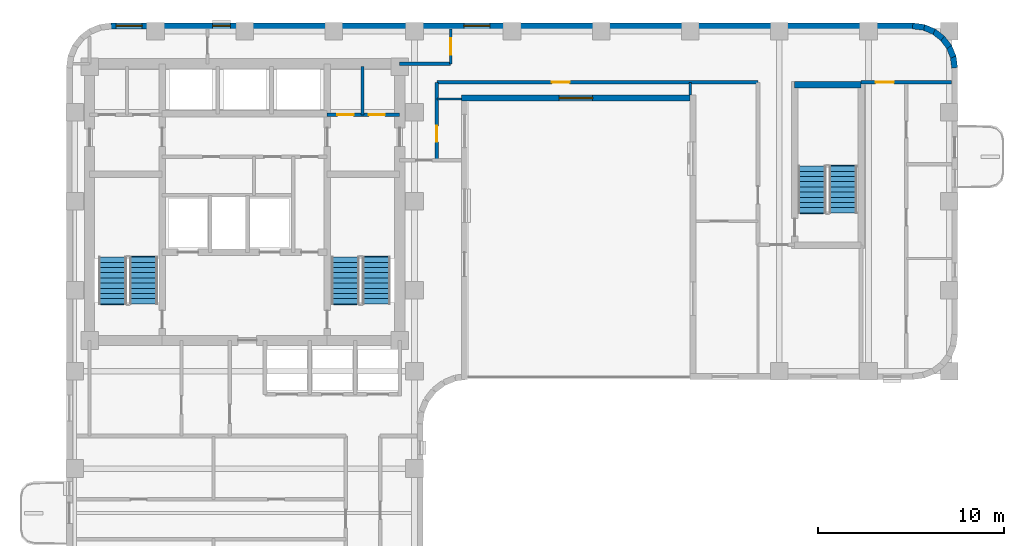
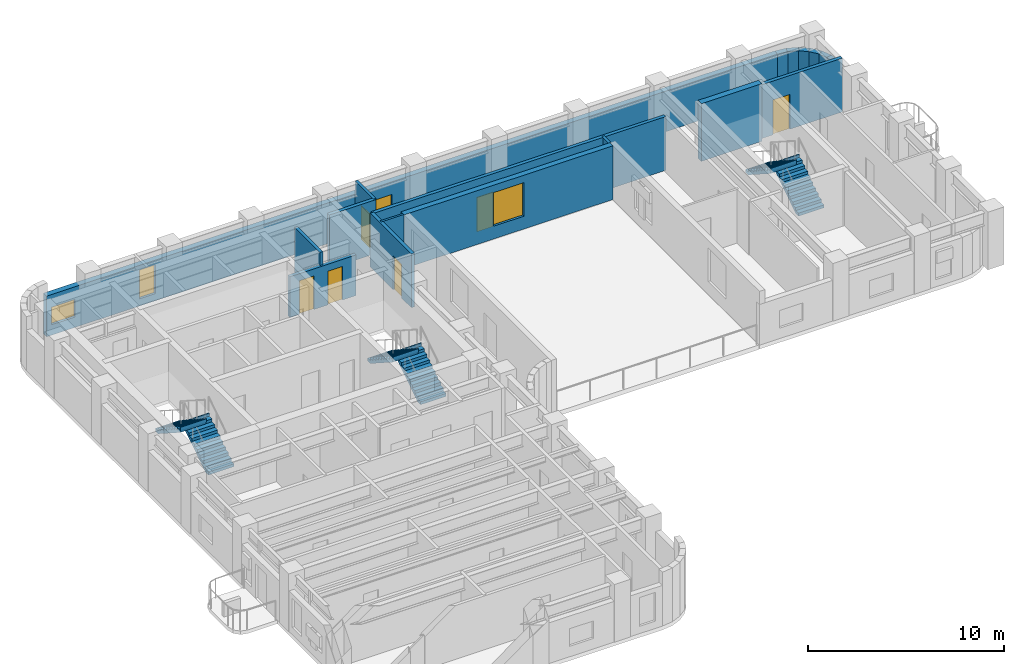
# One storey, part 6 of 9: 18 walls, 6 doors, 6 stair flights, 4 windows, 10 openings, 3 elements without a shape of their own.
"""IFC4 building model written with IfcOpenShell, lengths in metres."""

from ifc_helpers import new_model, si_unit, direction, frame, frame_2d, origin, place, context, subcontext, project, spatial, polyline, rectangle, outline, extrude, material, layer, layer_set, type_object, element, fill, aggregate, save


model = new_model("IFC4")

# Units and contexts
model_context = context("Model", 3, precision=1e-05, world=origin(), true_north=direction((0.0, 1.0)))
body_context = subcontext(model_context, "Body", "Model", "MODEL_VIEW")
ifc_project = project(units=[si_unit("LENGTHUNIT", "METRE"), si_unit("AREAUNIT", "SQUARE_METRE"), si_unit("VOLUMEUNIT", "CUBIC_METRE"), si_unit("PLANEANGLEUNIT", "RADIAN"), si_unit("MASSUNIT", "GRAM", prefix="KILO")], contexts=[model_context])

# Site, building, storey
site_placement = place(None, origin())
site = spatial("IfcSite", under=ifc_project, at=site_placement, CompositionType="ELEMENT")
building_placement = place(site_placement, origin())
building = spatial("IfcBuilding", under=site, at=building_placement, Name="Orvandelia Arch Residences", CompositionType="ELEMENT")
storey_placement = place(building_placement, frame((0.0, 0.0, 154.0)))
storey = spatial("IfcBuildingStorey", under=building, at=storey_placement, Name="L40", CompositionType="ELEMENT", Elevation=154.0)

# Walls
ifc_material_1 = material(Name="Concrete C50/60", Category="concrete")
ifc_layer_1 = layer(ifc_material_1, 0.35009765625, Name="Concrete C50/60", Category="concrete")
ifc_layer_set_1 = layer_set([ifc_layer_1], Name="Concrete C50/60")
wall_type_1 = type_object("IfcWallType", Name="WL-CORE-350", PredefinedType="SHEAR", material=ifc_layer_set_1)
wall_1_placement = place(storey_placement, frame((44.02001953125, 44.659912109375, 0.0), z_axis=(0.0, 0.0, 1.0), x_axis=(1.0, 0.0, 0.0)))
element("IfcWall", 1, at=wall_1_placement, inside=storey, type_object=wall_type_1, Name="East Stair Core Shear Wall L40-N", PredefinedType="SHEAR", context=body_context, shape_type="SweptSolid", body=[
    extrude(rectangle(XDim=3.580078125, YDim=0.35009765625, at=frame_2d((1.7900390625, 0.0))), origin(), (0.0, 0.0, 1.0), 3.60009765625),
])
ifc_material_2 = material(Name="Fire-Rated Corridor Partition")
ifc_layer_2 = layer(ifc_material_2, 0.199951171875, Name="Fire-Rated Corridor Partition")
ifc_layer_set_2 = layer_set([ifc_layer_2], Name="Fire-Rated Corridor Partition")
wall_type_2 = type_object("IfcWallType", Name="WL-CORR-200", PredefinedType="PARTITIONING", material=ifc_layer_set_2)
wall_2_placement = place(storey_placement, frame((22.75, 45.800048828125, 0.0), z_axis=(0.0, 0.0, 1.0), x_axis=(1.0, 0.0, 0.0)))
element("IfcWall", 2, at=wall_2_placement, inside=storey, type_object=wall_type_2, Name="Interior Partition Wall WL-L40-NCE-S", PredefinedType="PARTITIONING", context=body_context, shape_type="SweptSolid", body=[
    extrude(rectangle(XDim=2.75, YDim=0.199951171875, at=frame_2d((1.375, 0.0))), origin(), (0.0, 0.0, 1.0), 3.360107421875),
])

# Wall, opening, door
wall_3_placement = place(storey_placement, frame((24.75, 44.800048828125, 0.0), z_axis=(0.0, 0.0, 1.0), x_axis=(1.0, 0.0, 0.0)))
wall_3 = element("IfcWall", 3, at=wall_3_placement, inside=storey, type_object=wall_type_2, Name="Interior Partition Wall WL-L40-ENP-S1", PredefinedType="PARTITIONING", context=body_context, shape_type="SweptSolid", body=[
    extrude(rectangle(XDim=17.300048828125, YDim=0.199951171875, at=frame_2d((8.64990234375, 0.0))), origin(), (0.0, 0.0, 1.0), 3.360107421875),
])
opening_1_placement = place(wall_3_placement, frame((6.199951171875, 0.0, 0.0)))
opening_1 = element("IfcOpeningElement", 4, at=opening_1_placement, cuts=wall_3, Name="Opening D2", PredefinedType="OPENING", context=body_context, shape_type="SweptSolid", body=[
    extrude(rectangle(XDim=0.949951171875, YDim=2.14990234375, at=frame_2d((0.47509765625, 1.074951171875))), frame((0.0, 0.10986328125, 0.0), z_axis=(0.0, -1.0, 0.0), x_axis=(1.0, 0.0, 0.0)), (0.0, 0.0, 1.0), 0.219970703125),
])
ifc_material_3 = material(Name="Solid-Core Timber Interior Fire Door", Category="wood")
door_type_1 = type_object("IfcDoorType", Name="DR-APT-950", OperationType="NOTDEFINED", PredefinedType="DOOR", material=ifc_material_3)
door_1_placement = place(opening_1_placement, origin())
door_1 = element("IfcDoor", 5, at=door_1_placement, inside=storey, type_object=door_type_1, Name="DR-L40-VPBRG", OperationType="SINGLE_SWING_LEFT", OverallHeight=2.14990234375, OverallWidth=0.949951171875, PredefinedType="DOOR", context=body_context, shape_type="SweptSolid", body=[
    extrude(rectangle(XDim=0.949951171875, YDim=2.14990234375, at=frame_2d((0.47509765625, 1.074951171875))), frame((0.0, 0.02490234375, 0.0), z_axis=(0.0, -1.0, 0.0), x_axis=(1.0, 0.0, 0.0)), (0.0, 0.0, 1.0), 0.050048828125),
])
fill(opening_1, door_1)

wall_4_placement = place(storey_placement, frame((47.60009765625, 44.800048828125, 0.0), z_axis=(0.0, 0.0, 1.0), x_axis=(1.0, 0.0, 0.0)))
wall_4 = element("IfcWall", 6, at=wall_4_placement, inside=storey, type_object=wall_type_2, Name="Interior Partition Wall WL-L40-ENP-S2", PredefinedType="PARTITIONING", context=body_context, shape_type="SweptSolid", body=[
    extrude(rectangle(XDim=4.8798828125, YDim=0.199951171875, at=frame_2d((2.43994140625, 0.0))), origin(), (0.0, 0.0, 1.0), 3.360107421875),
])
opening_2_placement = place(wall_4_placement, frame((0.79150390625, 0.0, 0.0)))
opening_2 = element("IfcOpeningElement", 7, at=opening_2_placement, cuts=wall_4, Name="Opening D1", PredefinedType="OPENING", context=body_context, shape_type="SweptSolid", body=[
    extrude(rectangle(XDim=0.97998046875, YDim=2.179931640625, at=frame_2d((0.489990234375, 1.08984375))), frame((0.0, 0.10986328125, 0.0), z_axis=(0.0, -1.0, 0.0), x_axis=(1.0, 0.0, 0.0)), (0.0, 0.0, 1.0), 0.219970703125),
])
ifc_material_4 = material(Name="Solid-Core Timber Acoustic Fire Door", Category="wood")
door_type_2 = type_object("IfcDoorType", Name="DR-ENT-980", OperationType="NOTDEFINED", PredefinedType="DOOR", material=ifc_material_4)
door_2_placement = place(opening_2_placement, origin())
door_2 = element("IfcDoor", 8, at=door_2_placement, inside=storey, type_object=door_type_2, Name="Unit L40-04 Entrance Door", OperationType="SINGLE_SWING_RIGHT", OverallHeight=2.179931640625, OverallWidth=0.97998046875, PredefinedType="DOOR", context=body_context, shape_type="SweptSolid", body=[
    extrude(rectangle(XDim=0.97998046875, YDim=2.179931640625, at=frame_2d((0.489990234375, 1.08984375))), frame((0.0, 0.02490234375, 0.0), z_axis=(0.0, -1.0, 0.0), x_axis=(1.0, 0.0, 0.0)), (0.0, 0.0, 1.0), 0.050048828125),
])
fill(opening_2, door_2)

wall_5_placement = place(storey_placement, frame((24.75, 40.60009765625, 0.0), z_axis=(0.0, 0.0, 1.0), x_axis=(0.0, 1.0, 0.0)))
wall_5 = element("IfcWall", 9, at=wall_5_placement, inside=storey, type_object=wall_type_2, Name="Interior Partition Wall WL-L40-ENP-LW", PredefinedType="PARTITIONING", context=body_context, shape_type="SweptSolid", body=[
    extrude(rectangle(XDim=4.199951171875, YDim=0.199951171875, at=frame_2d((2.10009765625, 0.0))), origin(), (0.0, 0.0, 1.0), 3.360107421875),
])
opening_3_placement = place(wall_5_placement, frame((1.0, 0.0, 0.0)))
opening_3 = element("IfcOpeningElement", 10, at=opening_3_placement, cuts=wall_5, Name="Opening D4", PredefinedType="OPENING", context=body_context, shape_type="SweptSolid", body=[
    extrude(rectangle(XDim=0.860107421875, YDim=2.10009765625, at=frame_2d((0.43017578125, 1.050048828125))), frame((0.0, 0.10986328125, 0.0), z_axis=(0.0, -1.0, 0.0), x_axis=(1.0, 0.0, 0.0)), (0.0, 0.0, 1.0), 0.219970703125),
])
ifc_material_5 = material(Name="Moisture-Sealed Timber Bathroom Door", Category="wood")
door_type_3 = type_object("IfcDoorType", Name="DR-WET-900", OperationType="NOTDEFINED", PredefinedType="DOOR", material=ifc_material_5)
door_3_placement = place(opening_3_placement, origin())
door_3 = element("IfcDoor", 11, at=door_3_placement, inside=storey, type_object=door_type_3, Name="DR-L40-VPWNK", OperationType="SINGLE_SWING_RIGHT", OverallHeight=2.10009765625, OverallWidth=0.860107421875, PredefinedType="DOOR", context=body_context, shape_type="SweptSolid", body=[
    extrude(rectangle(XDim=0.860107421875, YDim=2.10009765625, at=frame_2d((0.43017578125, 1.050048828125))), frame((0.0, 0.02490234375, 0.0), z_axis=(0.0, -1.0, 0.0), x_axis=(1.0, 0.0, 0.0)), (0.0, 0.0, 1.0), 0.050048828125),
])
fill(opening_3, door_3)

# Wall, openings, windows
ifc_material_6 = material(Name="Precast concrete C40/50", Category="concrete")
ifc_layer_3 = layer(ifc_material_6, 0.320068359375, Name="Precast concrete C40/50", Category="concrete")
ifc_layer_set_3 = layer_set([ifc_layer_3], Name="Precast concrete C40/50")
wall_type_3 = type_object("IfcWallType", Name="WL-EXT-STONE-320", PredefinedType="STANDARD", material=ifc_layer_set_3)
wall_6_placement = place(storey_placement, frame((7.199951171875, 47.840087890625, 0.0), z_axis=(0.0, 0.0, 1.0), x_axis=(1.0, 0.0, 0.0)))
wall_6 = element("IfcWall", 12, at=wall_6_placement, inside=storey, type_object=wall_type_3, Name="Coral-Limestone Precast Facade Wall L40-007", PredefinedType="STANDARD", context=body_context, shape_type="SweptSolid", body=[
    extrude(rectangle(XDim=43.199951171875, YDim=0.320068359375, at=frame_2d((21.60009765625, 0.0))), origin(), (0.0, 0.0, 1.0), 2.5400390625),
])
opening_4_placement = place(wall_6_placement, frame((19.00244140625, 0.0, 0.64990234375)))
opening_4 = element("IfcOpeningElement", 13, at=opening_4_placement, cuts=wall_6, Name="Opening W10", PredefinedType="OPENING", context=body_context, shape_type="SweptSolid", body=[
    extrude(rectangle(XDim=1.39990234375, YDim=1.10009765625, at=frame_2d((0.699951171875, 0.550048828125))), frame((0.0, 0.169921875, 0.0), z_axis=(0.0, -1.0, 0.0), x_axis=(1.0, 0.0, 0.0)), (0.0, 0.0, 1.0), 0.340087890625),
])
opening_5_placement = place(wall_6_placement, frame((0.282470703125, 0.0, 0.64990234375)))
opening_5 = element("IfcOpeningElement", 14, at=opening_5_placement, cuts=wall_6, Name="Opening W10", PredefinedType="OPENING", context=body_context, shape_type="SweptSolid", body=[
    extrude(rectangle(XDim=1.39990234375, YDim=1.10009765625, at=frame_2d((0.699951171875, 0.550048828125))), frame((0.0, 0.169921875, 0.0), z_axis=(0.0, -1.0, 0.0), x_axis=(1.0, 0.0, 0.0)), (0.0, 0.0, 1.0), 0.340087890625),
])
opening_6_placement = place(wall_6_placement, frame((5.4775390625, 0.0, 0.449951171875)))
opening_6 = element("IfcOpeningElement", 15, at=opening_6_placement, cuts=wall_6, Name="Opening W4", PredefinedType="OPENING", context=body_context, shape_type="SweptSolid", body=[
    extrude(rectangle(XDim=0.949951171875, YDim=1.800048828125, at=frame_2d((0.47509765625, 0.89990234375))), frame((0.0, 0.169921875, 0.0), z_axis=(0.0, -1.0, 0.0), x_axis=(1.0, 0.0, 0.0)), (0.0, 0.0, 1.0), 0.340087890625),
])
ifc_material_7 = material(Name="Tempered Low-E Insulated Glazing", Category="glass")
window_type_1 = type_object("IfcWindowType", Name="WIN-CLR-1400x1100", PartitioningType="SINGLE_PANEL", PredefinedType="WINDOW", material=ifc_material_7)
window_1_placement = place(opening_4_placement, origin())
window_1 = element("IfcWindow", 16, at=window_1_placement, inside=storey, type_object=window_type_1, Name="Recessed Punched Window L40-001", OverallHeight=1.10009765625, OverallWidth=1.39990234375, PartitioningType="SINGLE_PANEL", PredefinedType="WINDOW", context=body_context, shape_type="SweptSolid", body=[
    extrude(rectangle(XDim=1.39990234375, YDim=1.10009765625, at=frame_2d((0.699951171875, 0.550048828125))), frame((0.0, 0.030029296875, 0.0), z_axis=(0.0, -1.0, 0.0), x_axis=(1.0, 0.0, 0.0)), (0.0, 0.0, 1.0), 0.06005859375),
])
fill(opening_4, window_1)
window_2_placement = place(opening_5_placement, origin())
window_2 = element("IfcWindow", 17, at=window_2_placement, inside=storey, type_object=window_type_1, Name="Recessed Punched Window L40-002", OverallHeight=1.10009765625, OverallWidth=1.39990234375, PartitioningType="SINGLE_PANEL", PredefinedType="WINDOW", context=body_context, shape_type="SweptSolid", body=[
    extrude(rectangle(XDim=1.39990234375, YDim=1.10009765625, at=frame_2d((0.699951171875, 0.550048828125))), frame((0.0, 0.030029296875, 0.0), z_axis=(0.0, -1.0, 0.0), x_axis=(1.0, 0.0, 0.0)), (0.0, 0.0, 1.0), 0.06005859375),
])
fill(opening_5, window_2)
window_type_2 = type_object("IfcWindowType", Name="WIN-RES-0950x1800", PartitioningType="SINGLE_PANEL", PredefinedType="WINDOW", material=ifc_material_7)
window_3_placement = place(opening_6_placement, origin())
window_3 = element("IfcWindow", 18, at=window_3_placement, inside=storey, type_object=window_type_2, Name="Recessed Punched Window L40-003", OverallHeight=1.800048828125, OverallWidth=0.949951171875, PartitioningType="SINGLE_PANEL", PredefinedType="WINDOW", context=body_context, shape_type="SweptSolid", body=[
    extrude(rectangle(XDim=0.949951171875, YDim=1.800048828125, at=frame_2d((0.47509765625, 0.89990234375))), frame((0.0, 0.030029296875, 0.0), z_axis=(0.0, -1.0, 0.0), x_axis=(1.0, 0.0, 0.0)), (0.0, 0.0, 1.0), 0.06005859375),
])
fill(opening_6, window_3)

# Walls
for number, where, z_axis, x_axis, name in (
    (19, (50.379150390625, 47.84130859375, 0.0), (0.0, 0.0, 1.0), (0.9914410257, -0.130555323746, 0.0), "Coral-Limestone Precast Facade Wall L40-008"),
    (20, (50.9599609375, 47.7705078125, 0.0), (0.0, 0.0, 1.0), (0.92389335771, -0.382650053678, 0.0), "Coral-Limestone Precast Facade Wall L40-009"),
    (21, (51.502685546875, 47.551513671875, 0.0), (0.0, 0.0, 1.0), (0.793405610854, -0.608693302629, 0.0), "Coral-Limestone Precast Facade Wall L40-010"),
    (22, (51.97021484375, 47.19970703125, 0.0), (0.0, 0.0, 1.0), (0.608693302629, -0.793405610854, 0.0), "Coral-Limestone Precast Facade Wall L40-011"),
    (23, (52.330810546875, 46.73876953125, 0.0), (0.0, 0.0, 1.0), (0.382317370307, -0.924031075431, 0.0), "Coral-Limestone Precast Facade Wall L40-012"),
    (24, (52.5595703125, 46.2001953125, 0.0), (0.0, 0.0, 1.0), (0.130555323746, -0.9914410257, 0.0), "Coral-Limestone Precast Facade Wall L40-013"),
):
    element("IfcWall", number, at=place(storey_placement, frame(where, z_axis=z_axis, x_axis=x_axis)), inside=storey, type_object=wall_type_3, Name=name, PredefinedType="STANDARD", context=body_context, shape_type="SweptSolid", body=[
        extrude(rectangle(XDim=0.62646484375, YDim=0.320068359375, at=frame_2d((0.313232421875, 0.0))), origin(), (0.0, 0.0, 1.0), 2.5400390625),
    ])

# Wall, opening, window
wall_7_placement = place(storey_placement, frame((38.39990234375, 43.9599609375, 0.0), z_axis=(0.0, 0.0, 1.0), x_axis=(-1.0, 0.0, 0.0)))
wall_7 = element("IfcWall", 25, at=wall_7_placement, inside=storey, type_object=wall_type_3, Name="Coral-Limestone Precast Facade Wall L40-023", PredefinedType="STANDARD", context=body_context, shape_type="SweptSolid", body=[
    extrude(rectangle(XDim=12.31982421875, YDim=0.320068359375, at=frame_2d((6.159912109375, 0.0))), origin(), (0.0, 0.0, 1.0), 3.360107421875),
])
opening_7_placement = place(wall_7_placement, frame((5.260009765625, 0.0, 0.800048828125)))
opening_7 = element("IfcOpeningElement", 26, at=opening_7_placement, cuts=wall_7, Name="Opening W1", PredefinedType="OPENING", context=body_context, shape_type="SweptSolid", body=[
    extrude(rectangle(XDim=1.800048828125, YDim=2.10009765625, at=frame_2d((0.89990234375, 1.050048828125))), frame((0.0, 0.169921875, 0.0), z_axis=(0.0, -1.0, 0.0), x_axis=(1.0, 0.0, 0.0)), (0.0, 0.0, 1.0), 0.340087890625),
])
window_type_3 = type_object("IfcWindowType", Name="WIN-RES-1800x2100", PartitioningType="SINGLE_PANEL", PredefinedType="WINDOW", material=ifc_material_7)
window_4_placement = place(opening_7_placement, origin())
window_4 = element("IfcWindow", 27, at=window_4_placement, inside=storey, type_object=window_type_3, Name="Recessed Punched Window L40-011", OverallHeight=2.10009765625, OverallWidth=1.800048828125, PartitioningType="SINGLE_PANEL", PredefinedType="WINDOW", context=body_context, shape_type="SweptSolid", body=[
    extrude(rectangle(XDim=1.800048828125, YDim=2.10009765625, at=frame_2d((0.89990234375, 1.050048828125))), frame((0.0, 0.030029296875, 0.0), z_axis=(0.0, -1.0, 0.0), x_axis=(1.0, 0.0, 0.0)), (0.0, 0.0, 1.0), 0.06005859375),
])
fill(opening_7, window_4)

# Wall
ifc_material_8 = material(Name="Lightweight Gypsum Stud Partition")
ifc_layer_4 = layer(ifc_material_8, 0.1201171875, Name="Lightweight Gypsum Stud Partition")
ifc_layer_set_4 = layer_set([ifc_layer_4], Name="Lightweight Gypsum Stud Partition")
wall_type_4 = type_object("IfcWallType", Name="WL-PART-120", PredefinedType="PARTITIONING", material=ifc_layer_set_4)
wall_8_placement = place(storey_placement, frame((24.75, 43.89990234375, 0.0), z_axis=(0.0, 0.0, 1.0), x_axis=(1.0, 0.0, 0.0)))
element("IfcWall", 28, at=wall_8_placement, inside=storey, type_object=wall_type_4, Name="Interior Partition Wall WL-L40-VPWNK-N", PredefinedType="PARTITIONING", context=body_context, shape_type="SweptSolid", body=[
    extrude(rectangle(XDim=1.330078125, YDim=0.1201171875, at=frame_2d((0.6650390625, 0.0))), origin(), (0.0, 0.0, 1.0), 3.360107421875),
])

# Wall, opening, door
ifc_material_9 = material(Name="Acoustic Gypsum Stud Partition")
ifc_layer_5 = layer(ifc_material_9, 0.14990234375, Name="Acoustic Gypsum Stud Partition")
ifc_layer_set_5 = layer_set([ifc_layer_5], Name="Acoustic Gypsum Stud Partition")
wall_type_5 = type_object("IfcWallType", Name="WL-PART-150", PredefinedType="PARTITIONING", material=ifc_layer_set_5)
wall_9_placement = place(storey_placement, frame((25.5, 45.800048828125, 0.0), z_axis=(0.0, 0.0, 1.0), x_axis=(0.0, 1.0, 0.0)))
wall_9 = element("IfcWall", 29, at=wall_9_placement, inside=storey, type_object=wall_type_5, Name="Interior Partition Wall WL-L40-NCE-W", PredefinedType="PARTITIONING", context=body_context, shape_type="SweptSolid", body=[
    extrude(rectangle(XDim=1.8798828125, YDim=0.14990234375, at=frame_2d((0.93994140625, 0.0))), origin(), (0.0, 0.0, 1.0), 3.360107421875),
])
opening_8_placement = place(wall_9_placement, frame((0.5, 0.0, 0.0)))
opening_8 = element("IfcOpeningElement", 30, at=opening_8_placement, cuts=wall_9, Name="Opening D5", PredefinedType="OPENING", context=body_context, shape_type="SweptSolid", body=[
    extrude(rectangle(XDim=0.8798828125, YDim=2.10009765625, at=frame_2d((0.43994140625, 1.050048828125))), frame((0.0, 0.0849609375, 0.0), z_axis=(0.0, -1.0, 0.0), x_axis=(1.0, 0.0, 0.0)), (0.0, 0.0, 1.0), 0.169921875),
])
ifc_material_10 = material(Name="Painted Galvanised Steel Service Door", Category="steel")
door_type_4 = type_object("IfcDoorType", Name="DR-SRV-880", OperationType="NOTDEFINED", PredefinedType="DOOR", material=ifc_material_10)
door_4_placement = place(opening_8_placement, origin())
door_4 = element("IfcDoor", 31, at=door_4_placement, inside=storey, type_object=door_type_4, Name="DR-L40-NCS2", OperationType="SINGLE_SWING_LEFT", OverallHeight=2.10009765625, OverallWidth=0.8798828125, PredefinedType="DOOR", context=body_context, shape_type="SweptSolid", body=[
    extrude(rectangle(XDim=0.8798828125, YDim=2.10009765625, at=frame_2d((0.43994140625, 1.050048828125))), frame((0.0, 0.02490234375, 0.0), z_axis=(0.0, -1.0, 0.0), x_axis=(1.0, 0.0, 0.0)), (0.0, 0.0, 1.0), 0.050048828125),
])
fill(opening_8, door_4)

# Wall
wall_10_placement = place(storey_placement, frame((38.39990234375, 44.1201171875, 0.0), z_axis=(0.0, 0.0, 1.0), x_axis=(0.0, 1.0, 0.0)))
element("IfcWall", 32, at=wall_10_placement, inside=storey, type_object=wall_type_5, Name="Interior Partition Wall WL-L40-VPBRG-E", PredefinedType="PARTITIONING", context=body_context, shape_type="SweptSolid", body=[
    extrude(rectangle(XDim=0.679931640625, YDim=0.14990234375, at=frame_2d((0.33984375, 0.0))), origin(), (0.0, 0.0, 1.0), 3.360107421875),
])

# Wall, openings, doors
ifc_material_11 = material(Name="Fire-Rated Shaft Enclosure Wall")
ifc_layer_6 = layer(ifc_material_11, 0.199951171875, Name="Fire-Rated Shaft Enclosure Wall")
ifc_layer_set_6 = layer_set([ifc_layer_6], Name="Fire-Rated Shaft Enclosure Wall")
wall_type_6 = type_object("IfcWallType", Name="WL-SHAFT-200", PredefinedType="POLYGONAL", material=ifc_layer_set_6)
wall_11_placement = place(storey_placement, frame((18.840087890625, 43.050048828125, 0.0), z_axis=(0.0, 0.0, 1.0), x_axis=(1.0, 0.0, 0.0)))
wall_11 = element("IfcWall", 33, at=wall_11_placement, inside=storey, type_object=wall_type_6, Name="Interior Partition Wall WL-L40-HLE-N", PredefinedType="POLYGONAL", context=body_context, shape_type="SweptSolid", body=[
    extrude(rectangle(XDim=3.909912109375, YDim=0.199951171875, at=frame_2d((1.955078125, 0.0))), origin(), (0.0, 0.0, 1.0), 2.5400390625),
])
opening_9_placement = place(wall_11_placement, frame((0.550048828125, 0.0, 0.0)))
opening_9 = element("IfcOpeningElement", 34, at=opening_9_placement, cuts=wall_11, Name="Opening D5", PredefinedType="OPENING", context=body_context, shape_type="SweptSolid", body=[
    extrude(rectangle(XDim=0.8798828125, YDim=2.10009765625, at=frame_2d((0.43994140625, 1.050048828125))), frame((0.0, 0.10986328125, 0.0), z_axis=(0.0, -1.0, 0.0), x_axis=(1.0, 0.0, 0.0)), (0.0, 0.0, 1.0), 0.219970703125),
])
opening_10_placement = place(wall_11_placement, frame((2.25, 0.0, 0.0)))
opening_10 = element("IfcOpeningElement", 35, at=opening_10_placement, cuts=wall_11, Name="Opening D4", PredefinedType="OPENING", context=body_context, shape_type="SweptSolid", body=[
    extrude(rectangle(XDim=0.860107421875, YDim=2.10009765625, at=frame_2d((0.43017578125, 1.050048828125))), frame((0.0, 0.10986328125, 0.0), z_axis=(0.0, -1.0, 0.0), x_axis=(1.0, 0.0, 0.0)), (0.0, 0.0, 1.0), 0.219970703125),
])
door_5_placement = place(opening_9_placement, origin())
door_5 = element("IfcDoor", 36, at=door_5_placement, inside=storey, type_object=door_type_4, Name="DR-L40-CSB1", OperationType="SINGLE_SWING_LEFT", OverallHeight=2.10009765625, OverallWidth=0.8798828125, PredefinedType="DOOR", context=body_context, shape_type="SweptSolid", body=[
    extrude(rectangle(XDim=0.8798828125, YDim=2.10009765625, at=frame_2d((0.43994140625, 1.050048828125))), frame((0.0, 0.02490234375, 0.0), z_axis=(0.0, -1.0, 0.0), x_axis=(1.0, 0.0, 0.0)), (0.0, 0.0, 1.0), 0.050048828125),
])
fill(opening_9, door_5)
door_6_placement = place(opening_10_placement, origin())
door_6 = element("IfcDoor", 37, at=door_6_placement, inside=storey, type_object=door_type_3, Name="DR-L40-CSB2", OperationType="SINGLE_SWING_LEFT", OverallHeight=2.10009765625, OverallWidth=0.860107421875, PredefinedType="DOOR", context=body_context, shape_type="SweptSolid", body=[
    extrude(rectangle(XDim=0.860107421875, YDim=2.10009765625, at=frame_2d((0.43017578125, 1.050048828125))), frame((0.0, 0.02490234375, 0.0), z_axis=(0.0, -1.0, 0.0), x_axis=(1.0, 0.0, 0.0)), (0.0, 0.0, 1.0), 0.050048828125),
])
fill(opening_10, door_6)

# Wall
ifc_material_12 = material(Name="Moisture-Resistant Plumbing Wall")
ifc_layer_7 = layer(ifc_material_12, 0.179931640625, Name="Moisture-Resistant Plumbing Wall")
ifc_layer_set_7 = layer_set([ifc_layer_7], Name="Moisture-Resistant Plumbing Wall")
wall_type_7 = type_object("IfcWallType", Name="WL-WET-180", PredefinedType="PLUMBINGWALL", material=ifc_layer_set_7)
wall_12_placement = place(storey_placement, frame((20.75, 43.050048828125, 0.0), z_axis=(0.0, 0.0, 1.0), x_axis=(0.0, 1.0, 0.0)))
element("IfcWall", 38, at=wall_12_placement, inside=storey, type_object=wall_type_7, Name="Interior Partition Wall WL-L40-CSB-1", PredefinedType="PLUMBINGWALL", context=body_context, shape_type="SweptSolid", body=[
    extrude(rectangle(XDim=2.599853515625, YDim=0.179931640625, at=frame_2d((1.2998046875, 0.0))), origin(), (0.0, 0.0, 1.0), 3.360107421875),
])

# Stair, stair flights
ifc_material_13 = material(Name="Concrete C40/50", Category="concrete")
stair_type = type_object("IfcStairType", Name="STAIR-RC-DOGLEG", PredefinedType="HALF_TURN_STAIR", material=ifc_material_13)
stair_1_placement = place(storey_placement, origin())
stair_1 = element("IfcStair", 39, at=stair_1_placement, inside=storey, type_object=stair_type, Name="L40 Protected Exit Stair ST-1", PredefinedType="HALF_TURN_STAIR")
stair_flight_type = type_object("IfcStairFlightType", Name="STFLT-RC-1520", PredefinedType="STRAIGHT", material=ifc_material_13)
stair_flight_1_placement = place(storey_placement, frame((8.9599609375, 32.8701171875, 0.0), z_axis=(0.0, 0.0, 1.0), x_axis=(0.0, 1.0, 0.0)))
stair_flight_1 = element("IfcStairFlight", 40, at=stair_flight_1_placement, type_object=stair_flight_type, Name="ST-1 flight 1", NumberOfRisers=10, NumberOfTreads=9, PredefinedType="STRAIGHT", RiserHeight=0.18, TreadLength=0.28, context=body_context, shape_type="SweptSolid", body=[
    extrude(outline(polyline([(0.0, 0.0), (0.0, 0.179931640625), (0.280029296875, 0.179931640625), (0.280029296875, 0.360107421875), (0.56005859375, 0.360107421875), (0.56005859375, 0.5400390625), (0.840087890625, 0.5400390625), (0.840087890625, 0.719970703125), (1.1201171875, 0.719970703125), (1.1201171875, 0.89990234375), (1.39990234375, 0.89990234375), (1.39990234375, 1.080078125), (1.679931640625, 1.080078125), (1.679931640625, 1.260009765625), (1.9599609375, 1.260009765625), (1.9599609375, 1.43994140625), (2.239990234375, 1.43994140625), (2.239990234375, 1.6201171875), (2.52001953125, 1.6201171875), (2.52001953125, 1.800048828125), (2.580078125, 1.800048828125), (2.580078125, 1.6201171875), (2.52001953125, 1.44189453125), (0.277099609375, 0.0), (0.0, 0.0)])), frame((0.0, 0.760009765625, 0.0), z_axis=(0.0, -1.0, 0.0), x_axis=(1.0, 0.0, 0.0)), (0.0, 0.0, 1.0), 1.52001953125),
])
stair_flight_2_placement = place(storey_placement, frame((7.2900390625, 35.389892578125, 1.800048828125), z_axis=(0.0, 0.0, 1.0), x_axis=(0.0, -1.0, 0.0)))
stair_flight_2 = element("IfcStairFlight", 41, at=stair_flight_2_placement, type_object=stair_flight_type, Name="ST-1 flight 2", NumberOfRisers=10, NumberOfTreads=9, PredefinedType="STRAIGHT", RiserHeight=0.18, TreadLength=0.28, context=body_context, shape_type="SweptSolid", body=[
    extrude(outline(polyline([(0.0, 0.0), (0.0, 0.179931640625), (0.280029296875, 0.179931640625), (0.280029296875, 0.360107421875), (0.56005859375, 0.360107421875), (0.56005859375, 0.5400390625), (0.840087890625, 0.5400390625), (0.840087890625, 0.719970703125), (1.1201171875, 0.719970703125), (1.1201171875, 0.89990234375), (1.39990234375, 0.89990234375), (1.39990234375, 1.080078125), (1.679931640625, 1.080078125), (1.679931640625, 1.260009765625), (1.9599609375, 1.260009765625), (1.9599609375, 1.43994140625), (2.239990234375, 1.43994140625), (2.239990234375, 1.6201171875), (2.52001953125, 1.6201171875), (2.52001953125, 1.800048828125), (2.580078125, 1.800048828125), (2.580078125, 1.6201171875), (2.52001953125, 1.44189453125), (0.277099609375, 0.0), (0.0, 0.0)])), frame((0.0, 0.760009765625, 0.0), z_axis=(0.0, -1.0, 0.0), x_axis=(1.0, 0.0, 0.0)), (0.0, 0.0, 1.0), 1.52001953125),
])
aggregate(stair_1, [stair_flight_1, stair_flight_2])

stair_2_placement = place(storey_placement, origin())
stair_2 = element("IfcStair", 42, at=stair_2_placement, inside=storey, type_object=stair_type, Name="L40 Protected Exit Stair ST-2", PredefinedType="HALF_TURN_STAIR")
stair_flight_3_placement = place(storey_placement, frame((21.489990234375, 32.8701171875, 0.0), z_axis=(0.0, 0.0, 1.0), x_axis=(0.0, 1.0, 0.0)))
stair_flight_3 = element("IfcStairFlight", 43, at=stair_flight_3_placement, type_object=stair_flight_type, Name="ST-2 flight 1", NumberOfRisers=10, NumberOfTreads=9, PredefinedType="STRAIGHT", RiserHeight=0.18, TreadLength=0.28, context=body_context, shape_type="SweptSolid", body=[
    extrude(outline(polyline([(0.0, 0.0), (0.0, 0.179931640625), (0.280029296875, 0.179931640625), (0.280029296875, 0.360107421875), (0.56005859375, 0.360107421875), (0.56005859375, 0.5400390625), (0.840087890625, 0.5400390625), (0.840087890625, 0.719970703125), (1.1201171875, 0.719970703125), (1.1201171875, 0.89990234375), (1.39990234375, 0.89990234375), (1.39990234375, 1.080078125), (1.679931640625, 1.080078125), (1.679931640625, 1.260009765625), (1.9599609375, 1.260009765625), (1.9599609375, 1.43994140625), (2.239990234375, 1.43994140625), (2.239990234375, 1.6201171875), (2.52001953125, 1.6201171875), (2.52001953125, 1.800048828125), (2.580078125, 1.800048828125), (2.580078125, 1.6201171875), (2.52001953125, 1.44189453125), (0.277099609375, 0.0), (0.0, 0.0)])), frame((0.0, 0.760009765625, 0.0), z_axis=(0.0, -1.0, 0.0), x_axis=(1.0, 0.0, 0.0)), (0.0, 0.0, 1.0), 1.52001953125),
])
stair_flight_4_placement = place(storey_placement, frame((19.820068359375, 35.389892578125, 1.800048828125), z_axis=(0.0, 0.0, 1.0), x_axis=(0.0, -1.0, 0.0)))
stair_flight_4 = element("IfcStairFlight", 44, at=stair_flight_4_placement, type_object=stair_flight_type, Name="ST-2 flight 2", NumberOfRisers=10, NumberOfTreads=9, PredefinedType="STRAIGHT", RiserHeight=0.18, TreadLength=0.28, context=body_context, shape_type="SweptSolid", body=[
    extrude(outline(polyline([(0.0, 0.0), (0.0, 0.179931640625), (0.280029296875, 0.179931640625), (0.280029296875, 0.360107421875), (0.56005859375, 0.360107421875), (0.56005859375, 0.5400390625), (0.840087890625, 0.5400390625), (0.840087890625, 0.719970703125), (1.1201171875, 0.719970703125), (1.1201171875, 0.89990234375), (1.39990234375, 0.89990234375), (1.39990234375, 1.080078125), (1.679931640625, 1.080078125), (1.679931640625, 1.260009765625), (1.9599609375, 1.260009765625), (1.9599609375, 1.43994140625), (2.239990234375, 1.43994140625), (2.239990234375, 1.6201171875), (2.52001953125, 1.6201171875), (2.52001953125, 1.800048828125), (2.580078125, 1.800048828125), (2.580078125, 1.6201171875), (2.52001953125, 1.44189453125), (0.277099609375, 0.0), (0.0, 0.0)])), frame((0.0, 0.760009765625, 0.0), z_axis=(0.0, -1.0, 0.0), x_axis=(1.0, 0.0, 0.0)), (0.0, 0.0, 1.0), 1.52001953125),
])
aggregate(stair_2, [stair_flight_3, stair_flight_4])

stair_3_placement = place(storey_placement, origin())
stair_3 = element("IfcStair", 45, at=stair_3_placement, inside=storey, type_object=stair_type, Name="L40 East Wing Exit Stair ST-3", PredefinedType="HALF_TURN_STAIR")
stair_flight_5_placement = place(storey_placement, frame((46.639892578125, 37.77001953125, 0.0), z_axis=(0.0, 0.0, 1.0), x_axis=(0.0, 1.0, 0.0)))
stair_flight_5 = element("IfcStairFlight", 46, at=stair_flight_5_placement, type_object=stair_flight_type, Name="ST-3 flight 1", NumberOfRisers=10, NumberOfTreads=9, PredefinedType="STRAIGHT", RiserHeight=0.18, TreadLength=0.28, context=body_context, shape_type="SweptSolid", body=[
    extrude(outline(polyline([(0.0, 0.0), (0.0, 0.179931640625), (0.280029296875, 0.179931640625), (0.280029296875, 0.360107421875), (0.56005859375, 0.360107421875), (0.56005859375, 0.5400390625), (0.840087890625, 0.5400390625), (0.840087890625, 0.719970703125), (1.1201171875, 0.719970703125), (1.1201171875, 0.89990234375), (1.39990234375, 0.89990234375), (1.39990234375, 1.080078125), (1.679931640625, 1.080078125), (1.679931640625, 1.260009765625), (1.9599609375, 1.260009765625), (1.9599609375, 1.43994140625), (2.239990234375, 1.43994140625), (2.239990234375, 1.6201171875), (2.52001953125, 1.6201171875), (2.52001953125, 1.800048828125), (2.580078125, 1.800048828125), (2.580078125, 1.6201171875), (2.52001953125, 1.44189453125), (0.277099609375, 0.0), (0.0, 0.0)])), frame((0.0, 0.760009765625, 0.0), z_axis=(0.0, -1.0, 0.0), x_axis=(1.0, 0.0, 0.0)), (0.0, 0.0, 1.0), 1.52001953125),
])
stair_flight_6_placement = place(storey_placement, frame((44.969970703125, 40.2900390625, 1.800048828125), z_axis=(0.0, 0.0, 1.0), x_axis=(0.0, -1.0, 0.0)))
stair_flight_6 = element("IfcStairFlight", 47, at=stair_flight_6_placement, type_object=stair_flight_type, Name="ST-3 flight 2", NumberOfRisers=10, NumberOfTreads=9, PredefinedType="STRAIGHT", RiserHeight=0.18, TreadLength=0.28, context=body_context, shape_type="SweptSolid", body=[
    extrude(outline(polyline([(0.0, 0.0), (0.0, 0.179931640625), (0.280029296875, 0.179931640625), (0.280029296875, 0.360107421875), (0.56005859375, 0.360107421875), (0.56005859375, 0.5400390625), (0.840087890625, 0.5400390625), (0.840087890625, 0.719970703125), (1.1201171875, 0.719970703125), (1.1201171875, 0.89990234375), (1.39990234375, 0.89990234375), (1.39990234375, 1.080078125), (1.679931640625, 1.080078125), (1.679931640625, 1.260009765625), (1.9599609375, 1.260009765625), (1.9599609375, 1.43994140625), (2.239990234375, 1.43994140625), (2.239990234375, 1.6201171875), (2.52001953125, 1.6201171875), (2.52001953125, 1.800048828125), (2.580078125, 1.800048828125), (2.580078125, 1.6201171875), (2.52001953125, 1.44189453125), (0.277099609375, 0.0), (0.0, 0.0)])), frame((0.0, 0.760009765625, 0.0), z_axis=(0.0, -1.0, 0.0), x_axis=(1.0, 0.0, 0.0)), (0.0, 0.0, 1.0), 1.52001953125),
])
aggregate(stair_3, [stair_flight_5, stair_flight_6])

save(model, "model.ifc")
